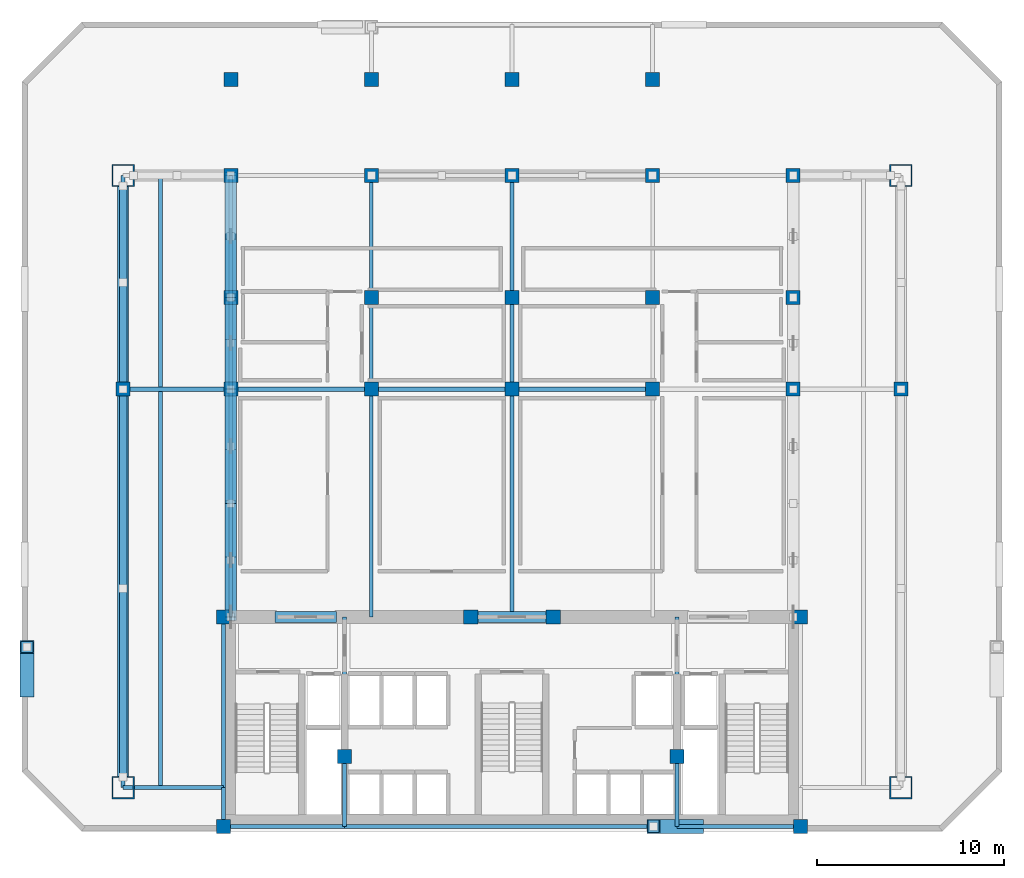
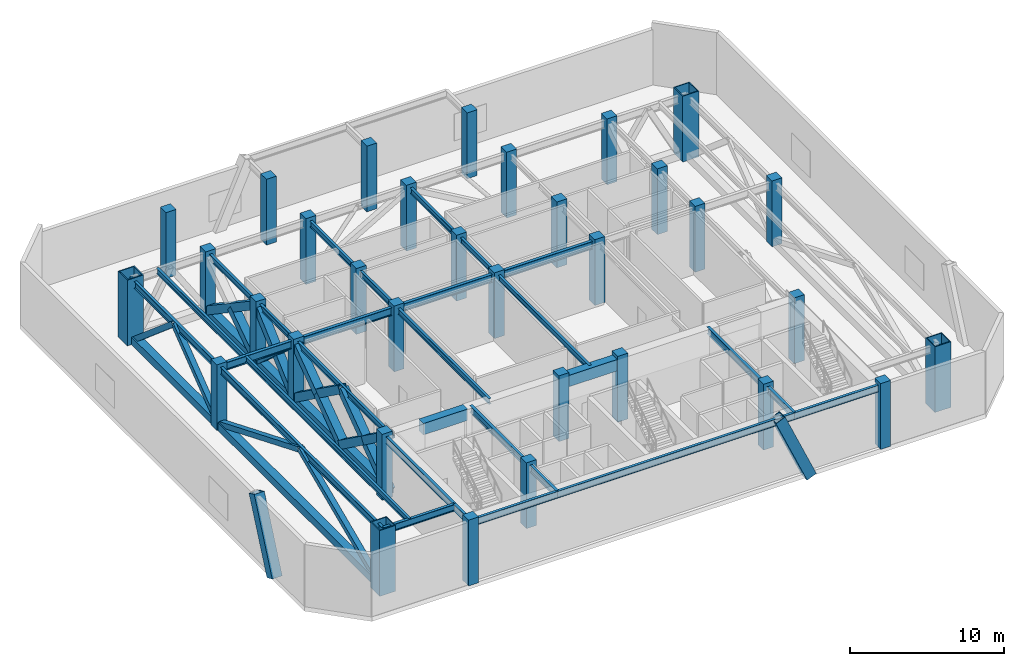
# One storey, part 1 of 10: 33 columns, 26 beams, 23 members.
"""IFC4 building model written with IfcOpenShell, lengths in metres."""

import ifcopenshell
import ifcopenshell.guid

model = None  # the IFC model being written
_history = None  # IfcOwnerHistory: only IFC2X3 demands one
_inside = {}  # id of a spatial element -> (the spatial element, [elements in it])
_under = {}  # id of a project, library or spatial element -> (it, [spatial elements below it])
_declared = {}  # id of a project -> (the project, [libraries it declares])
_typed = {}  # id of a type object -> (the type object, [elements of that type])
_made_of = {}  # id of a material, layer set ... -> (it, [elements and type objects made of it])


def new_model(schema):
    """Start an empty IFC model of exactly this schema.

    Asked for "IFC4X3", IfcOpenShell would pick the latest addendum, in which some entities
    have other attributes; the version numbers below select the first issue.
    IFC2X3 requires an IfcOwnerHistory on every rooted entity: one is made here for all.
    """
    global model, _history
    if schema == "IFC4X3":
        model = ifcopenshell.file(schema_version=(4, 3, 0, 0))
    else:
        model = ifcopenshell.file(schema=schema)
    _inside.clear()
    _under.clear()
    _declared.clear()
    _typed.clear()
    _made_of.clear()
    _history = None
    if model.schema == "IFC2X3":
        org = make("IfcOrganization", Name="unknown")
        user = make(
            "IfcPersonAndOrganization",
            ThePerson=make("IfcPerson", FamilyName="unknown"),
            TheOrganization=org,
        )
        app = make(
            "IfcApplication",
            ApplicationDeveloper=org,
            Version="unknown",
            ApplicationFullName="unknown",
            ApplicationIdentifier="unknown",
        )
        _history = make(
            "IfcOwnerHistory",
            OwningUser=user,
            OwningApplication=app,
            ChangeAction="ADDED",
            CreationDate=0,
        )
    return model


def make(cls, **values):
    """One entity of the class cls with the attributes given. An attribute that is None is left unset."""
    return model.create_entity(
        cls, **{name: value for name, value in values.items() if value is not None}
    )


def rooted(cls, **values):
    """An entity with a GlobalId (a new one), such as an element, a storey or a relation."""
    return make(cls, GlobalId=ifcopenshell.guid.new(), OwnerHistory=_history, **values)


def si_unit(unit_type, name, prefix=None):
    """IfcSIUnit, for example si_unit("LENGTHUNIT", "METRE", prefix="MILLI")."""
    return make("IfcSIUnit", UnitType=unit_type, Prefix=prefix, Name=name)


def assignment(units):
    """IfcUnitAssignment: the units of a project."""
    return None if units is None else make("IfcUnitAssignment", Units=units)


def point(xyz):
    """IfcCartesianPoint."""
    return None if xyz is None else make("IfcCartesianPoint", Coordinates=xyz)


def direction(xyz):
    """IfcDirection."""
    return None if xyz is None else make("IfcDirection", DirectionRatios=xyz)


def frame(location, z_axis=None, x_axis=None):
    """IfcAxis2Placement3D, a coordinate frame: its origin and axes. An axis left out is left unset."""
    return make(
        "IfcAxis2Placement3D",
        Location=point(location),
        Axis=direction(z_axis),
        RefDirection=direction(x_axis),
    )


def frame_2d(location, x_axis=None):
    """IfcAxis2Placement2D, a coordinate frame in the plane: its origin and x axis."""
    return make(
        "IfcAxis2Placement2D", Location=point(location), RefDirection=direction(x_axis)
    )


def origin():
    """The frame at (0, 0, 0) with its axes left unset."""
    return frame((0.0, 0.0, 0.0))


def origin_2d():
    """The frame at (0, 0) in the plane with its x axis left unset."""
    return frame_2d((0.0, 0.0))


def place(relative_to, where):
    """IfcLocalPlacement: puts the frame where relative to a parent placement (None: the world)."""
    return make(
        "IfcLocalPlacement", PlacementRelTo=relative_to, RelativePlacement=where
    )


def context(
    kind, dimensions, precision=None, world=None, true_north=None, identifier=None
):
    """IfcGeometricRepresentationContext, for example the 3D "Model" context."""
    return make(
        "IfcGeometricRepresentationContext",
        ContextIdentifier=identifier,
        ContextType=kind,
        CoordinateSpaceDimension=dimensions,
        Precision=precision,
        WorldCoordinateSystem=world,
        TrueNorth=true_north,
    )


def subcontext(parent, identifier, kind, view, scale=None):
    """IfcGeometricRepresentationSubContext, for example "Body" below "Model"."""
    return make(
        "IfcGeometricRepresentationSubContext",
        ContextIdentifier=identifier,
        ContextType=kind,
        ParentContext=parent,
        TargetScale=scale,
        TargetView=view,
    )


def project(units=None, contexts=None):
    """IfcProject with its units and contexts."""
    return rooted(
        "IfcProject",
        Name="project",
        RepresentationContexts=contexts,
        UnitsInContext=assignment(units),
    )


def spatial(cls, under=None, at=None, **own):
    """A site, building, storey or space (cls), placed at a placement, below another one or the project."""
    s = rooted(cls, ObjectPlacement=at, **own)
    if under is not None:
        _under.setdefault(under.id(), (under, []))[1].append(s)
    return s


def profile(cls, at=None, kind="AREA", **sizes):
    """A parametric profile (cls). Its sizes go by their IFC names, for example OverallWidth=200.0."""
    return make(cls, ProfileType=kind, Position=at, **sizes)


def rectangle(**sizes):
    """IfcRectangleProfileDef."""
    return profile("IfcRectangleProfileDef", **sizes)


def hollow_rectangle(**sizes):
    """IfcRectangleHollowProfileDef."""
    return profile("IfcRectangleHollowProfileDef", **sizes)


def i_section(**sizes):
    """IfcIShapeProfileDef."""
    return profile("IfcIShapeProfileDef", **sizes)


def extrude(swept, where, along, depth):
    """IfcExtrudedAreaSolid: the profile swept, set in the frame where, extruded along a direction by depth."""
    return make(
        "IfcExtrudedAreaSolid",
        SweptArea=swept,
        Position=where,
        ExtrudedDirection=direction(along),
        Depth=depth,
    )


def shape(context_of_items, identifier, shape_type, items):
    """IfcShapeRepresentation: the items that make up one representation, for example the "Body"."""
    return make(
        "IfcShapeRepresentation",
        ContextOfItems=context_of_items,
        RepresentationIdentifier=identifier,
        RepresentationType=shape_type,
        Items=items,
    )


def material(Name=None, Category=None):
    """IfcMaterial."""
    return make("IfcMaterial", Name=Name, Category=Category)


def material_profile(
    of_material, cross_section, Name=None, Category=None, Priority=None
):
    """IfcMaterialProfile: a cross section and its material."""
    return make(
        "IfcMaterialProfile",
        Name=Name,
        Material=of_material,
        Profile=cross_section,
        Priority=Priority,
        Category=Category,
    )


def profile_set(profiles, Name=None, composite=None):
    """IfcMaterialProfileSet."""
    return make(
        "IfcMaterialProfileSet",
        Name=Name,
        MaterialProfiles=profiles,
        CompositeProfile=composite,
    )


def made_of(thing, what):
    """Note that an element or type object is made of a material, layer set ...; save() writes the relation."""
    if what is not None:
        _made_of.setdefault(what.id(), (what, []))[1].append(thing)
    return thing


def type_object(cls, material=None, **own):
    """A type object (cls), such as IfcWallType, which elements share."""
    return made_of(rooted(cls, **own), material)


def element(
    cls,
    number,
    at=None,
    inside=None,
    cuts=None,
    type_object=None,
    material=None,
    context=None,
    identifier="Body",
    shape_type=None,
    held_by="IfcProductDefinitionShape",
    body=None,
    shapes=None,
    **own,
):
    """One element of the class cls, such as IfcWall. Its Tag is "e" and its number.

    at: its placement. inside: the storey or other place that contains it. cuts: it is an
    opening in that element (IfcRelVoidsElement). A single representation is given by context,
    identifier, shape_type and body (its items); several are given by shapes. held_by: the class
    of the entity that holds the representations. save() writes the other relations.
    """
    e = rooted(cls, Tag="e%d" % number, ObjectPlacement=at, **own)
    if body is not None:
        shapes = [shape(context, identifier, shape_type, body)]
    if shapes is not None:
        e.Representation = make(held_by, Representations=shapes)
    if inside is not None:
        _inside.setdefault(inside.id(), (inside, []))[1].append(e)
    if cuts is not None:
        rooted(
            "IfcRelVoidsElement", RelatingBuildingElement=cuts, RelatedOpeningElement=e
        )
    if type_object is not None:
        _typed.setdefault(type_object.id(), (type_object, []))[1].append(e)
    return made_of(e, material)


def aggregate(whole, parts):
    """IfcRelAggregates: a whole, such as a stair, and the parts it consists of."""
    return rooted("IfcRelAggregates", RelatingObject=whole, RelatedObjects=parts)


def save(model, path):
    """Write the relations noted so far, then the file.

    IfcRelAggregates (storeys below a building ...), IfcRelContainedInSpatialStructure (elements
    in a storey), IfcRelDefinesByType, IfcRelAssociatesMaterial and IfcRelDeclares: one each for
    every whole, place, type object, material and project.
    """
    for whole, parts in _under.values():
        aggregate(whole, parts)
    for where, things in _inside.values():
        rooted(
            "IfcRelContainedInSpatialStructure",
            RelatedElements=things,
            RelatingStructure=where,
        )
    for kind, things in _typed.values():
        rooted("IfcRelDefinesByType", RelatedObjects=things, RelatingType=kind)
    for what, things in _made_of.values():
        rooted("IfcRelAssociatesMaterial", RelatedObjects=things, RelatingMaterial=what)
    for by, libraries in _declared.values():
        rooted("IfcRelDeclares", RelatingContext=by, RelatedDefinitions=libraries)
    model.write(path)


model = new_model("IFC4")

# Units and contexts
model_context = context("Model", 3, precision=1e-05, world=origin(), true_north=direction((0.0, 1.0)))
body_context = subcontext(model_context, "Body", "Model", "MODEL_VIEW")
ifc_project = project(units=[si_unit("LENGTHUNIT", "METRE"), si_unit("AREAUNIT", "SQUARE_METRE"), si_unit("VOLUMEUNIT", "CUBIC_METRE"), si_unit("PLANEANGLEUNIT", "RADIAN"), si_unit("MASSUNIT", "GRAM", prefix="KILO")], contexts=[model_context])

# Site, building, storey
site_placement = place(None, origin())
site = spatial("IfcSite", under=ifc_project, at=site_placement, CompositionType="ELEMENT")
building_placement = place(site_placement, origin())
building = spatial("IfcBuilding", under=site, at=building_placement, Name="Ventersveld Concourse Tower", CompositionType="ELEMENT")
storey_placement = place(building_placement, frame((0.0, 0.0, 134.949951171875)))
storey = spatial("IfcBuildingStorey", under=building, at=storey_placement, Name="L33", CompositionType="ELEMENT", Elevation=134.949951171875)

# Columns
ifc_material_1 = material(Name="Concrete C50/60", Category="concrete")
ifc_material_profile_1 = material_profile(ifc_material_1, rectangle(XDim=0.75, YDim=0.75, at=origin_2d()), Name="RC 750x750")
ifc_profile_set_1 = profile_set([ifc_material_profile_1], Name="Concrete C50/60")
column_type_1 = type_object("IfcColumnType", Name="COL-RC750", PredefinedType="COLUMN", material=ifc_profile_set_1)
for number, where, z_axis, x_axis, name in (
    (1, (13.35009765625, 0.280029296875, 0.0), (0.0, 0.0, 1.0), (1.0, 0.0, 0.0), "L33 Core Spine Column CC-SW"),
    (2, (44.14990234375, 0.280029296875, 0.0), (0.0, 0.0, 1.0), (1.0, 0.0, 0.0), "L33 Core Spine Column CC-SE"),
    (3, (13.35009765625, 11.449951171875, 0.0), (0.0, 0.0, 1.0), (1.0, 0.0, 0.0), "L33 Core Spine Column CC-NW"),
    (4, (44.14990234375, 11.449951171875, 0.0), (0.0, 0.0, 1.0), (1.0, 0.0, 0.0), "L33 Core Spine Column CC-NE"),
    (5, (19.820068359375, 4.0, 0.0), (0.0, 0.0, 1.0), (1.0, 0.0, 0.0), "L33 Core Spine Column CM-1"),
    (6, (37.550048828125, 4.0, 0.0), (0.0, 0.0, 1.0), (1.0, 0.0, 0.0), "L33 Core Spine Column CM-2"),
    (7, (26.550048828125, 11.449951171875, 0.0), (0.0, 0.0, 1.0), (1.0, 0.0, 0.0), "L33 Core Spine Column CM-3"),
    (8, (30.949951171875, 11.449951171875, 0.0), (0.0, 0.0, 1.0), (1.0, 0.0, 0.0), "L33 Core Spine Column CM-4"),
    (9, (8.0, 23.60009765625, 0.0), (0.0, 0.0, 1.0), (1.0, 0.0, 0.0), "L33 Interior Gravity Column X=8.00 Y=23.60"),
    (10, (13.75, 23.60009765625, 0.0), (0.0, 0.0, 1.0), (1.0, 0.0, 0.0), "L33 Interior Gravity Column X=13.75 Y=23.60"),
    (11, (21.25, 23.60009765625, 0.0), (0.0, 0.0, 1.0), (1.0, 0.0, 0.0), "L33 Interior Gravity Column X=21.25 Y=23.60"),
    (12, (28.75, 23.60009765625, 0.0), (0.0, 0.0, 1.0), (1.0, 0.0, 0.0), "L33 Interior Gravity Column X=28.75 Y=23.60"),
    (13, (36.25, 23.60009765625, 0.0), (0.0, 0.0, 1.0), (1.0, 0.0, 0.0), "L33 Interior Gravity Column X=36.25 Y=23.60"),
    (14, (43.75, 23.60009765625, 0.0), (0.0, 0.0, 1.0), (1.0, 0.0, 0.0), "L33 Interior Gravity Column X=43.75 Y=23.60"),
    (15, (49.5, 23.60009765625, 0.0), (0.0, 0.0, 1.0), (1.0, 0.0, 0.0), "L33 Interior Gravity Column X=49.50 Y=23.60"),
    (16, (13.75, 28.5, 0.0), (0.0, 0.0, 1.0), (1.0, 0.0, 0.0), "L33 Upper-North Gravity Column X=13.75 Y=28.50"),
    (17, (21.25, 28.5, 0.0), (0.0, 0.0, 1.0), (1.0, 0.0, 0.0), "L33 Upper-North Gravity Column X=21.25 Y=28.50"),
    (18, (28.75, 28.5, 0.0), (0.0, 0.0, 1.0), (1.0, 0.0, 0.0), "L33 Upper-North Gravity Column X=28.75 Y=28.50"),
    (19, (36.25, 28.5, 0.0), (0.0, 0.0, 1.0), (1.0, 0.0, 0.0), "L33 Upper-North Gravity Column X=36.25 Y=28.50"),
    (20, (43.75, 28.5, 0.0), (0.0, 0.0, 1.0), (1.0, 0.0, 0.0), "L33 Upper-North Gravity Column X=43.75 Y=28.50"),
    (21, (13.75, 40.1201171875, 0.0), (0.0, 0.0, 1.0), (1.0, 0.0, 0.0), "L33 North Brace Node Column X=13.75 Y=40.12"),
    (22, (21.25, 40.1201171875, 0.0), (0.0, 0.0, 1.0), (1.0, 0.0, 0.0), "L33 North Brace Node Column X=21.25 Y=40.12"),
    (23, (28.75, 40.1201171875, 0.0), (0.0, 0.0, 1.0), (1.0, 0.0, 0.0), "L33 North Brace Node Column X=28.75 Y=40.12"),
    (24, (36.25, 40.1201171875, 0.0), (0.0, 0.0, 1.0), (1.0, 0.0, 0.0), "L33 North Brace Node Column X=36.25 Y=40.12"),
    (25, (13.75, 35.0, 0.0), (0.0, 0.0, 1.0), (1.0, 0.0, 0.0), "L33 Mid-North Column X=13.75 Y=35.00"),
    (26, (21.25, 35.0, 0.0), (0.0, 0.0, 1.0), (1.0, 0.0, 0.0), "L33 Mid-North Column X=21.25 Y=35.00"),
    (27, (28.75, 35.0, 0.0), (0.0, 0.0, 1.0), (1.0, 0.0, 0.0), "L33 Mid-North Column X=28.75 Y=35.00"),
    (28, (36.25, 35.0, 0.0), (0.0, 0.0, 1.0), (1.0, 0.0, 0.0), "L33 Mid-North Column X=36.25 Y=35.00"),
    (29, (43.75, 35.0, 0.0), (0.0, 0.0, 1.0), (1.0, 0.0, 0.0), "L33 Mid-North Column X=43.75 Y=35.00"),
):
    element("IfcColumn", number, at=place(storey_placement, frame(where, z_axis=z_axis, x_axis=x_axis)), inside=storey, type_object=column_type_1, Name=name, PredefinedType="COLUMN", context=body_context, shape_type="SweptSolid", body=[
        extrude(rectangle(XDim=0.75, YDim=0.75, at=origin_2d()), origin(), (0.0, 0.0, 1.0), 5.199951171875),
    ])
ifc_material_2 = material(Name="Structural steel S460ML", Category="steel")
ifc_material_profile_2 = material_profile(ifc_material_2, hollow_rectangle(XDim=1.199951171875, YDim=1.199951171875, WallThickness=0.070068359375, at=origin_2d()), Name="BOX 1200x1200x70")
ifc_profile_set_2 = profile_set([ifc_material_profile_2], Name="Structural steel S460ML")
column_type_2 = type_object("IfcColumnType", Name="MC-1200", PredefinedType="USERDEFINED", material=ifc_profile_set_2)
for number, where, z_axis, x_axis, name in (
    (30, (8.0, 2.35009765625, 0.0), (0.0, 0.0, 1.0), (1.0, 0.0, 0.0), "L33 Corner Mega-Column MC-SW"),
    (31, (49.5, 2.35009765625, 0.0), (0.0, 0.0, 1.0), (1.0, 0.0, 0.0), "L33 Corner Mega-Column MC-SE"),
    (32, (49.5, 35.0, 0.0), (0.0, 0.0, 1.0), (1.0, 0.0, 0.0), "L33 Corner Mega-Column MC-NE"),
    (33, (8.0, 35.0, 0.0), (0.0, 0.0, 1.0), (1.0, 0.0, 0.0), "L33 Corner Mega-Column MC-NW"),
):
    element("IfcColumn", number, at=place(storey_placement, frame(where, z_axis=z_axis, x_axis=x_axis)), inside=storey, type_object=column_type_2, Name=name, ObjectType="MEGA_COLUMN", PredefinedType="USERDEFINED", context=body_context, shape_type="SweptSolid", body=[
        extrude(hollow_rectangle(XDim=1.199951171875, YDim=1.199951171875, WallThickness=0.070068359375, at=origin_2d()), origin(), (0.0, 0.0, 1.0), 5.199951171875),
    ])

# Members
ifc_material_3 = material(Name="Structural steel S355ML", Category="steel")
ifc_material_profile_3 = material_profile(ifc_material_3, hollow_rectangle(XDim=0.39990234375, YDim=0.39990234375, WallThickness=0.02001953125, at=origin_2d()), Name="SHS 400x400x20")
ifc_profile_set_3 = profile_set([ifc_material_profile_3], Name="Structural steel S355ML")
member_type_1 = type_object("IfcMemberType", Name="BLT-BR-400", PredefinedType="BRACE", material=ifc_profile_set_3)
member_1_placement = place(storey_placement, frame((8.0, 2.9150390625, 0.300048828125), z_axis=(0.0, 0.917197404981, 0.398433081327), x_axis=(-1.0, 0.0, 0.0)))
element("IfcMember", 34, at=member_1_placement, inside=storey, type_object=member_type_1, Name="L33 Belt Truss Chevron Diagonal W1-1", PredefinedType="BRACE", context=body_context, shape_type="SweptSolid", body=[
    extrude(hollow_rectangle(XDim=0.39990234375, YDim=0.39990234375, WallThickness=0.02001953125, at=origin_2d()), origin(), (0.0, 0.0, 1.0), 10.96826171875),
])
member_2_placement = place(storey_placement, frame((8.0, 23.60009765625, 0.300048828125), z_axis=(0.0, -0.92482766172, 0.380386377408), x_axis=(1.0, 0.0, 0.0)))
element("IfcMember", 35, at=member_2_placement, inside=storey, type_object=member_type_1, Name="L33 Belt Truss Chevron Diagonal W1-2", PredefinedType="BRACE", context=body_context, shape_type="SweptSolid", body=[
    extrude(hollow_rectangle(XDim=0.39990234375, YDim=0.39990234375, WallThickness=0.02001953125, at=origin_2d()), origin(), (0.0, 0.0, 1.0), 11.488525390625),
])
member_3_placement = place(storey_placement, frame((8.0, 23.60009765625, 0.300048828125), z_axis=(0.0, 0.793595966342, 0.608445102048), x_axis=(-1.0, 0.0, 0.0)))
element("IfcMember", 36, at=member_3_placement, inside=storey, type_object=member_type_1, Name="L33 Belt Truss Chevron Diagonal W2-1", PredefinedType="BRACE", context=body_context, shape_type="SweptSolid", body=[
    extrude(hollow_rectangle(XDim=0.39990234375, YDim=0.39990234375, WallThickness=0.02001953125, at=origin_2d()), origin(), (0.0, 0.0, 1.0), 7.182373046875),
])
member_4_placement = place(storey_placement, frame((8.0, 34.43505859375, 0.300048828125), z_axis=(0.0, -0.761546994211, 0.648109694117), x_axis=(1.0, 0.0, 0.0)))
element("IfcMember", 37, at=member_4_placement, inside=storey, type_object=member_type_1, Name="L33 Belt Truss Chevron Diagonal W2-2", PredefinedType="BRACE", context=body_context, shape_type="SweptSolid", body=[
    extrude(hollow_rectangle(XDim=0.39990234375, YDim=0.39990234375, WallThickness=0.02001953125, at=origin_2d()), origin(), (0.0, 0.0, 1.0), 6.742919921875),
])

# Beams
ifc_material_4 = material(Name="Structural steel S355J2", Category="steel")
ifc_material_profile_4 = material_profile(ifc_material_4, i_section(OverallWidth=0.18994140625, OverallDepth=0.453369140625, WebThickness=0.008544921875, FlangeThickness=0.0126953125, FilletRadius=0.01025390625, at=origin_2d()), Name="UB 457x191x67")
ifc_profile_set_4 = profile_set([ifc_material_profile_4], Name="Structural steel S355J2")
beam_type_1 = type_object("IfcBeamType", Name="BM-UB457", PredefinedType="BEAM", material=ifc_profile_set_4)
beam_1_placement = place(storey_placement, frame((10.0, 2.35009765625, 4.693359375), z_axis=(0.0, 1.0, 0.0), x_axis=(-1.0, 0.0, 0.0)))
element("IfcBeam", 38, at=beam_1_placement, inside=storey, type_object=beam_type_1, Name="L33 N-S Composite Floor Beam South X=10.00", PredefinedType="BEAM", context=body_context, shape_type="SweptSolid", body=[
    extrude(i_section(OverallWidth=0.18994140625, OverallDepth=0.453369140625, WebThickness=0.008544921875, FlangeThickness=0.0126953125, FilletRadius=0.01025390625, at=origin_2d()), origin(), (0.0, 0.0, 1.0), 21.15478515625),
])
beam_2_placement = place(storey_placement, frame((10.0, 23.695068359375, 4.693359375), z_axis=(0.0, 1.0, 0.0), x_axis=(-1.0, 0.0, 0.0)))
element("IfcBeam", 39, at=beam_2_placement, inside=storey, type_object=beam_type_1, Name="L33 N-S Composite Floor Beam Mid X=10.00", PredefinedType="BEAM", context=body_context, shape_type="SweptSolid", body=[
    extrude(i_section(OverallWidth=0.18994140625, OverallDepth=0.453369140625, WebThickness=0.008544921875, FlangeThickness=0.0126953125, FilletRadius=0.01025390625, at=origin_2d()), origin(), (0.0, 0.0, 1.0), 11.304931640625),
])
beam_3_placement = place(storey_placement, frame((13.75, 11.449951171875, 4.693359375), z_axis=(0.0, 1.0, 0.0), x_axis=(-1.0, 0.0, 0.0)))
element("IfcBeam", 40, at=beam_3_placement, inside=storey, type_object=beam_type_1, Name="L33 N-S Composite Floor Beam South X=13.75", PredefinedType="BEAM", context=body_context, shape_type="SweptSolid", body=[
    extrude(i_section(OverallWidth=0.18994140625, OverallDepth=0.453369140625, WebThickness=0.008544921875, FlangeThickness=0.0126953125, FilletRadius=0.01025390625, at=origin_2d()), origin(), (0.0, 0.0, 1.0), 12.150146484375),
])
beam_4_placement = place(storey_placement, frame((13.75, 23.60009765625, 4.693359375), z_axis=(0.0, 1.0, 0.0), x_axis=(-1.0, 0.0, 0.0)))
element("IfcBeam", 41, at=beam_4_placement, inside=storey, type_object=beam_type_1, Name="L33 N-S Composite Floor Beam Mid X=13.75", PredefinedType="BEAM", context=body_context, shape_type="SweptSolid", body=[
    extrude(i_section(OverallWidth=0.18994140625, OverallDepth=0.453369140625, WebThickness=0.008544921875, FlangeThickness=0.0126953125, FilletRadius=0.01025390625, at=origin_2d()), origin(), (0.0, 0.0, 1.0), 11.39990234375),
])
beam_5_placement = place(storey_placement, frame((21.25, 11.449951171875, 4.693359375), z_axis=(0.0, 1.0, 0.0), x_axis=(-1.0, 0.0, 0.0)))
element("IfcBeam", 42, at=beam_5_placement, inside=storey, type_object=beam_type_1, Name="L33 N-S Composite Floor Beam South X=21.25", PredefinedType="BEAM", context=body_context, shape_type="SweptSolid", body=[
    extrude(i_section(OverallWidth=0.18994140625, OverallDepth=0.453369140625, WebThickness=0.008544921875, FlangeThickness=0.0126953125, FilletRadius=0.01025390625, at=origin_2d()), origin(), (0.0, 0.0, 1.0), 12.150146484375),
])
beam_6_placement = place(storey_placement, frame((21.25, 23.60009765625, 4.693359375), z_axis=(0.0, 1.0, 0.0), x_axis=(-1.0, 0.0, 0.0)))
element("IfcBeam", 43, at=beam_6_placement, inside=storey, type_object=beam_type_1, Name="L33 N-S Composite Floor Beam Mid X=21.25", PredefinedType="BEAM", context=body_context, shape_type="SweptSolid", body=[
    extrude(i_section(OverallWidth=0.18994140625, OverallDepth=0.453369140625, WebThickness=0.008544921875, FlangeThickness=0.0126953125, FilletRadius=0.01025390625, at=origin_2d()), origin(), (0.0, 0.0, 1.0), 11.39990234375),
])
beam_7_placement = place(storey_placement, frame((28.75, 11.449951171875, 4.693359375), z_axis=(0.0, 1.0, 0.0), x_axis=(-1.0, 0.0, 0.0)))
element("IfcBeam", 44, at=beam_7_placement, inside=storey, type_object=beam_type_1, Name="L33 N-S Composite Floor Beam South X=28.75", PredefinedType="BEAM", context=body_context, shape_type="SweptSolid", body=[
    extrude(i_section(OverallWidth=0.18994140625, OverallDepth=0.453369140625, WebThickness=0.008544921875, FlangeThickness=0.0126953125, FilletRadius=0.01025390625, at=origin_2d()), origin(), (0.0, 0.0, 1.0), 12.150146484375),
])
beam_8_placement = place(storey_placement, frame((28.75, 23.60009765625, 4.693359375), z_axis=(0.0, 1.0, 0.0), x_axis=(-1.0, 0.0, 0.0)))
element("IfcBeam", 45, at=beam_8_placement, inside=storey, type_object=beam_type_1, Name="L33 N-S Composite Floor Beam Mid X=28.75", PredefinedType="BEAM", context=body_context, shape_type="SweptSolid", body=[
    extrude(i_section(OverallWidth=0.18994140625, OverallDepth=0.453369140625, WebThickness=0.008544921875, FlangeThickness=0.0126953125, FilletRadius=0.01025390625, at=origin_2d()), origin(), (0.0, 0.0, 1.0), 11.39990234375),
])
ifc_material_5 = material(Name="Concrete C60/75", Category="concrete")
ifc_material_profile_5 = material_profile(ifc_material_5, rectangle(XDim=0.60009765625, YDim=0.89990234375, at=origin_2d()), Name="RC 600x900")
ifc_profile_set_5 = profile_set([ifc_material_profile_5], Name="Concrete C60/75")
beam_type_2 = type_object("IfcBeamType", Name="CB-RC600x900L", PredefinedType="LINTEL", material=ifc_profile_set_5)
beam_9_placement = place(storey_placement, frame((16.10009765625, 11.449951171875, 4.469970703125), z_axis=(1.0, 0.0, 0.0), x_axis=(0.0, 1.0, 0.0)))
element("IfcBeam", 46, at=beam_9_placement, inside=storey, type_object=beam_type_2, Name="L33 Core Coupling Lintel Beam 1", PredefinedType="LINTEL", context=body_context, shape_type="SweptSolid", body=[
    extrude(rectangle(XDim=0.60009765625, YDim=0.89990234375, at=origin_2d()), origin(), (0.0, 0.0, 1.0), 3.2998046875),
])
beam_10_placement = place(storey_placement, frame((26.5, 11.449951171875, 4.469970703125), z_axis=(1.0, 0.0, 0.0), x_axis=(0.0, 1.0, 0.0)))
element("IfcBeam", 47, at=beam_10_placement, inside=storey, type_object=beam_type_2, Name="L33 Core Coupling Lintel Beam 2", PredefinedType="LINTEL", context=body_context, shape_type="SweptSolid", body=[
    extrude(rectangle(XDim=0.60009765625, YDim=0.89990234375, at=origin_2d()), origin(), (0.0, 0.0, 1.0), 4.5),
])
ifc_material_profile_6 = material_profile(ifc_material_4, i_section(OverallWidth=0.2119140625, OverallDepth=0.54443359375, WebThickness=0.0126953125, FlangeThickness=0.021240234375, FilletRadius=0.0126953125, at=origin_2d()), Name="UB 533x210x122")
ifc_profile_set_6 = profile_set([ifc_material_profile_6], Name="Structural steel S355J2")
beam_type_3 = type_object("IfcBeamType", Name="GRD-UB533H", PredefinedType="T_BEAM", material=ifc_profile_set_6)
beam_11_placement = place(storey_placement, frame((13.35009765625, 0.280029296875, 4.647705078125), z_axis=(0.0, 1.0, 0.0), x_axis=(-1.0, 0.0, 0.0)))
element("IfcBeam", 48, at=beam_11_placement, inside=storey, type_object=beam_type_3, Name="L33 Core West Tie Beam S", PredefinedType="T_BEAM", context=body_context, shape_type="SweptSolid", body=[
    extrude(i_section(OverallWidth=0.2119140625, OverallDepth=0.54443359375, WebThickness=0.0126953125, FlangeThickness=0.021240234375, FilletRadius=0.0126953125, at=origin_2d()), origin(), (0.0, 0.0, 1.0), 2.070068359375),
])
beam_12_placement = place(storey_placement, frame((13.35009765625, 2.35009765625, 4.647705078125), z_axis=(0.0, 1.0, 0.0), x_axis=(-1.0, 0.0, 0.0)))
element("IfcBeam", 49, at=beam_12_placement, inside=storey, type_object=beam_type_3, Name="L33 Core West Tie Beam N", PredefinedType="T_BEAM", context=body_context, shape_type="SweptSolid", body=[
    extrude(i_section(OverallWidth=0.2119140625, OverallDepth=0.54443359375, WebThickness=0.0126953125, FlangeThickness=0.021240234375, FilletRadius=0.0126953125, at=origin_2d()), origin(), (0.0, 0.0, 1.0), 9.099853515625),
])
beam_13_placement = place(storey_placement, frame((13.35009765625, 0.280029296875, 4.647705078125), z_axis=(1.0, 0.0, 0.0), x_axis=(0.0, 1.0, 0.0)))
element("IfcBeam", 50, at=beam_13_placement, inside=storey, type_object=beam_type_3, Name="L33 Core South Tie Beam W", PredefinedType="T_BEAM", context=body_context, shape_type="SweptSolid", body=[
    extrude(i_section(OverallWidth=0.2119140625, OverallDepth=0.54443359375, WebThickness=0.0126953125, FlangeThickness=0.021240234375, FilletRadius=0.0126953125, at=origin_2d()), origin(), (0.0, 0.0, 1.0), 6.469970703125),
])
beam_14_placement = place(storey_placement, frame((19.820068359375, 0.280029296875, 4.647705078125), z_axis=(1.0, 0.0, 0.0), x_axis=(0.0, 1.0, 0.0)))
element("IfcBeam", 51, at=beam_14_placement, inside=storey, type_object=beam_type_3, Name="L33 Core South Tie Beam C", PredefinedType="T_BEAM", context=body_context, shape_type="SweptSolid", body=[
    extrude(i_section(OverallWidth=0.2119140625, OverallDepth=0.54443359375, WebThickness=0.0126953125, FlangeThickness=0.021240234375, FilletRadius=0.0126953125, at=origin_2d()), origin(), (0.0, 0.0, 1.0), 17.72998046875),
])
beam_15_placement = place(storey_placement, frame((37.550048828125, 0.280029296875, 4.647705078125), z_axis=(1.0, 0.0, 0.0), x_axis=(0.0, 1.0, 0.0)))
element("IfcBeam", 52, at=beam_15_placement, inside=storey, type_object=beam_type_3, Name="L33 Core South Tie Beam E", PredefinedType="T_BEAM", context=body_context, shape_type="SweptSolid", body=[
    extrude(i_section(OverallWidth=0.2119140625, OverallDepth=0.54443359375, WebThickness=0.0126953125, FlangeThickness=0.021240234375, FilletRadius=0.0126953125, at=origin_2d()), origin(), (0.0, 0.0, 1.0), 6.599853515625),
])
beam_16_placement = place(storey_placement, frame((19.820068359375, 0.280029296875, 4.647705078125), z_axis=(0.0, 1.0, 0.0), x_axis=(-1.0, 0.0, 0.0)))
element("IfcBeam", 53, at=beam_16_placement, inside=storey, type_object=beam_type_3, Name="L33 Core Spine N-S Tie Beam W1", PredefinedType="T_BEAM", context=body_context, shape_type="SweptSolid", body=[
    extrude(i_section(OverallWidth=0.2119140625, OverallDepth=0.54443359375, WebThickness=0.0126953125, FlangeThickness=0.021240234375, FilletRadius=0.0126953125, at=origin_2d()), origin(), (0.0, 0.0, 1.0), 3.719970703125),
])
beam_17_placement = place(storey_placement, frame((19.820068359375, 4.0, 4.647705078125), z_axis=(0.0, 1.0, 0.0), x_axis=(-1.0, 0.0, 0.0)))
element("IfcBeam", 54, at=beam_17_placement, inside=storey, type_object=beam_type_3, Name="L33 Core Spine N-S Tie Beam W2", PredefinedType="T_BEAM", context=body_context, shape_type="SweptSolid", body=[
    extrude(i_section(OverallWidth=0.2119140625, OverallDepth=0.54443359375, WebThickness=0.0126953125, FlangeThickness=0.021240234375, FilletRadius=0.0126953125, at=origin_2d()), origin(), (0.0, 0.0, 1.0), 7.449951171875),
])
beam_18_placement = place(storey_placement, frame((37.550048828125, 0.280029296875, 4.647705078125), z_axis=(0.0, 1.0, 0.0), x_axis=(-1.0, 0.0, 0.0)))
element("IfcBeam", 55, at=beam_18_placement, inside=storey, type_object=beam_type_3, Name="L33 Core Spine N-S Tie Beam E1", PredefinedType="T_BEAM", context=body_context, shape_type="SweptSolid", body=[
    extrude(i_section(OverallWidth=0.2119140625, OverallDepth=0.54443359375, WebThickness=0.0126953125, FlangeThickness=0.021240234375, FilletRadius=0.0126953125, at=origin_2d()), origin(), (0.0, 0.0, 1.0), 3.719970703125),
])
beam_19_placement = place(storey_placement, frame((37.550048828125, 4.0, 4.647705078125), z_axis=(0.0, 1.0, 0.0), x_axis=(-1.0, 0.0, 0.0)))
element("IfcBeam", 56, at=beam_19_placement, inside=storey, type_object=beam_type_3, Name="L33 Core Spine N-S Tie Beam E2", PredefinedType="T_BEAM", context=body_context, shape_type="SweptSolid", body=[
    extrude(i_section(OverallWidth=0.2119140625, OverallDepth=0.54443359375, WebThickness=0.0126953125, FlangeThickness=0.021240234375, FilletRadius=0.0126953125, at=origin_2d()), origin(), (0.0, 0.0, 1.0), 7.449951171875),
])
ifc_material_profile_7 = material_profile(ifc_material_4, i_section(OverallWidth=0.230224609375, OverallDepth=0.6171875, WebThickness=0.01318359375, FlangeThickness=0.022216796875, FilletRadius=0.0126953125, at=origin_2d()), Name="UB 610x229x140")
ifc_profile_set_7 = profile_set([ifc_material_profile_7], Name="Structural steel S355J2")
beam_type_4 = type_object("IfcBeamType", Name="GRD-UB610", PredefinedType="USERDEFINED", material=ifc_profile_set_7)
beam_20_placement = place(storey_placement, frame((8.0, 23.60009765625, 4.611328125), z_axis=(1.0, 0.0, 0.0), x_axis=(0.0, 1.0, 0.0)))
element("IfcBeam", 57, at=beam_20_placement, inside=storey, type_object=beam_type_4, Name="L33 Primary E-W Grid Girder Y=23.60 #1", ObjectType="GIRDER", PredefinedType="USERDEFINED", context=body_context, shape_type="SweptSolid", body=[
    extrude(i_section(OverallWidth=0.230224609375, OverallDepth=0.6171875, WebThickness=0.01318359375, FlangeThickness=0.022216796875, FilletRadius=0.0126953125, at=origin_2d()), origin(), (0.0, 0.0, 1.0), 5.75),
])
for number, where, z_axis, x_axis, name in (
    (58, (13.75, 23.60009765625, 4.611328125), (1.0, 0.0, 0.0), (0.0, 1.0, 0.0), "L33 Primary E-W Grid Girder Y=23.60 #2"),
    (59, (21.25, 23.60009765625, 4.611328125), (1.0, 0.0, 0.0), (0.0, 1.0, 0.0), "L33 Primary E-W Grid Girder Y=23.60 #3"),
    (60, (28.75, 23.60009765625, 4.611328125), (1.0, 0.0, 0.0), (0.0, 1.0, 0.0), "L33 Primary E-W Grid Girder Y=23.60 #4"),
):
    element("IfcBeam", number, at=place(storey_placement, frame(where, z_axis=z_axis, x_axis=x_axis)), inside=storey, type_object=beam_type_4, Name=name, ObjectType="GIRDER", PredefinedType="USERDEFINED", context=body_context, shape_type="SweptSolid", body=[
        extrude(i_section(OverallWidth=0.230224609375, OverallDepth=0.6171875, WebThickness=0.01318359375, FlangeThickness=0.022216796875, FilletRadius=0.0126953125, at=origin_2d()), origin(), (0.0, 0.0, 1.0), 7.5),
    ])

# Members
ifc_material_profile_8 = material_profile(ifc_material_3, hollow_rectangle(XDim=0.75, YDim=0.75, WallThickness=0.044921875, at=origin_2d()), Name="BOX 750x750x45")
ifc_profile_set_8 = profile_set([ifc_material_profile_8], Name="Structural steel S355ML")
member_type_2 = type_object("IfcMemberType", Name="MB-750x750", PredefinedType="BRACE", material=ifc_profile_set_8)
for number, where, z_axis, x_axis, name in (
    (61, (38.62841796875, 0.280029296875, -0.349853515625), (-0.40412839508, 0.0, 0.914702268659), (0.0, -1.0, 0.0), "L33 Exterior Mega-Brace S (Module M07)"),
    (62, (2.8798828125, 7.521484375, -0.349853515625), (0.0, 0.404163848321, 0.914686604095), (-1.0, 0.0, 0.0), "L33 Exterior Mega-Brace W (Module M07)"),
):
    element("IfcMember", number, at=place(storey_placement, frame(where, z_axis=z_axis, x_axis=x_axis)), inside=storey, type_object=member_type_2, Name=name, PredefinedType="BRACE", context=body_context, shape_type="SweptSolid", body=[
        extrude(hollow_rectangle(XDim=0.75, YDim=0.75, WallThickness=0.044921875, at=origin_2d()), origin(), (0.0, 0.0, 1.0), 5.761474609375),
    ])
ifc_material_profile_9 = material_profile(ifc_material_3, hollow_rectangle(XDim=0.60009765625, YDim=0.60009765625, WallThickness=0.0400390625, at=origin_2d()), Name="BOX 600x600x40")
ifc_profile_set_9 = profile_set([ifc_material_profile_9], Name="Structural steel S355ML")
member_type_3 = type_object("IfcMemberType", Name="OUT-BR-600", PredefinedType="BRACE", material=ifc_profile_set_9)
member_5_placement = place(storey_placement, frame((13.75, 11.449951171875, 0.300048828125), z_axis=(0.0, 0.810638684679, 0.58554668721), x_axis=(-1.0, 0.0, 0.0)))
element("IfcMember", 63, at=member_5_placement, inside=storey, type_object=member_type_3, Name="L33 Outrigger Truss Continuous Diagonal W-1A", PredefinedType="BRACE", context=body_context, shape_type="SweptSolid", body=[
    extrude(hollow_rectangle(XDim=0.60009765625, YDim=0.60009765625, WallThickness=0.0400390625, at=origin_2d()), origin(), (0.0, 0.0, 1.0), 7.46337890625),
])
member_6_placement = place(storey_placement, frame((13.75, 11.449951171875, 4.670166015625), z_axis=(0.0, 0.810649900066, -0.585531160164), x_axis=(-1.0, 0.0, 0.0)))
element("IfcMember", 64, at=member_6_placement, inside=storey, type_object=member_type_3, Name="L33 Outrigger Truss Split X-Diagonal W-1B1", PredefinedType="BRACE", context=body_context, shape_type="SweptSolid", body=[
    extrude(hollow_rectangle(XDim=0.60009765625, YDim=0.60009765625, WallThickness=0.0400390625, at=origin_2d()), origin(), (0.0, 0.0, 1.0), 3.731689453125),
])
member_7_placement = place(storey_placement, frame((13.75, 14.47509765625, 2.485107421875), z_axis=(0.0, 0.810627468399, -0.585562214864), x_axis=(-1.0, 0.0, 0.0)))
element("IfcMember", 65, at=member_7_placement, inside=storey, type_object=member_type_3, Name="L33 Outrigger Truss Split X-Diagonal W-1B2", PredefinedType="BRACE", context=body_context, shape_type="SweptSolid", body=[
    extrude(hollow_rectangle(XDim=0.60009765625, YDim=0.60009765625, WallThickness=0.0400390625, at=origin_2d()), origin(), (0.0, 0.0, 1.0), 3.7314453125),
])
member_8_placement = place(storey_placement, frame((13.75, 17.5, 4.670166015625), z_axis=(0.0, 0.812919299661, -0.582376349313), x_axis=(-1.0, 0.0, 0.0)))
element("IfcMember", 66, at=member_8_placement, inside=storey, type_object=member_type_3, Name="L33 Outrigger Truss Continuous Diagonal W-2A", PredefinedType="BRACE", context=body_context, shape_type="SweptSolid", body=[
    extrude(hollow_rectangle(XDim=0.60009765625, YDim=0.60009765625, WallThickness=0.0400390625, at=origin_2d()), origin(), (0.0, 0.0, 1.0), 7.50390625),
])
for number, where, z_axis, x_axis, name in (
    (67, (13.75, 17.5, 0.300048828125), (0.0, 0.812919299661, 0.582376349313), (-1.0, 0.0, 0.0), "L33 Outrigger Truss Split X-Diagonal W-2B1"),
    (68, (13.75, 20.550048828125, 2.485107421875), (0.0, 0.812919299661, 0.582376349313), (-1.0, 0.0, 0.0), "L33 Outrigger Truss Split X-Diagonal W-2B2"),
):
    element("IfcMember", number, at=place(storey_placement, frame(where, z_axis=z_axis, x_axis=x_axis)), inside=storey, type_object=member_type_3, Name=name, PredefinedType="BRACE", context=body_context, shape_type="SweptSolid", body=[
        extrude(hollow_rectangle(XDim=0.60009765625, YDim=0.60009765625, WallThickness=0.0400390625, at=origin_2d()), origin(), (0.0, 0.0, 1.0), 3.751953125),
    ])
member_9_placement = place(storey_placement, frame((13.75, 23.60009765625, 0.300048828125), z_axis=(0.0, 0.746300426721, 0.665609249542), x_axis=(-1.0, 0.0, 0.0)))
element("IfcMember", 69, at=member_9_placement, inside=storey, type_object=member_type_3, Name="L33 Outrigger Truss Continuous Diagonal W-3A", PredefinedType="BRACE", context=body_context, shape_type="SweptSolid", body=[
    extrude(hollow_rectangle(XDim=0.60009765625, YDim=0.60009765625, WallThickness=0.0400390625, at=origin_2d()), origin(), (0.0, 0.0, 1.0), 6.565673828125),
])
for number, where, z_axis, x_axis, name in (
    (70, (13.75, 23.60009765625, 4.670166015625), (0.0, 0.746300426721, -0.665609249542), (-1.0, 0.0, 0.0), "L33 Outrigger Truss Split X-Diagonal W-3B1"),
    (71, (13.75, 26.050048828125, 2.485107421875), (0.0, 0.746300426721, -0.665609249542), (-1.0, 0.0, 0.0), "L33 Outrigger Truss Split X-Diagonal W-3B2"),
):
    element("IfcMember", number, at=place(storey_placement, frame(where, z_axis=z_axis, x_axis=x_axis)), inside=storey, type_object=member_type_3, Name=name, PredefinedType="BRACE", context=body_context, shape_type="SweptSolid", body=[
        extrude(hollow_rectangle(XDim=0.60009765625, YDim=0.60009765625, WallThickness=0.0400390625, at=origin_2d()), origin(), (0.0, 0.0, 1.0), 3.28271484375),
    ])
member_10_placement = place(storey_placement, frame((13.75, 28.5, 4.670166015625), z_axis=(0.0, 0.829876411596, -0.557947256895), x_axis=(-1.0, 0.0, 0.0)))
element("IfcMember", 72, at=member_10_placement, inside=storey, type_object=member_type_3, Name="L33 Outrigger Truss Continuous Diagonal W-4A", PredefinedType="BRACE", context=body_context, shape_type="SweptSolid", body=[
    extrude(hollow_rectangle(XDim=0.60009765625, YDim=0.60009765625, WallThickness=0.0400390625, at=origin_2d()), origin(), (0.0, 0.0, 1.0), 7.83251953125),
])
member_11_placement = place(storey_placement, frame((13.75, 28.5, 0.300048828125), z_axis=(0.0, 0.829876411596, 0.557947256895), x_axis=(-1.0, 0.0, 0.0)))
element("IfcMember", 73, at=member_11_placement, inside=storey, type_object=member_type_3, Name="L33 Outrigger Truss Split X-Diagonal W-4B1", PredefinedType="BRACE", context=body_context, shape_type="SweptSolid", body=[
    extrude(hollow_rectangle(XDim=0.60009765625, YDim=0.60009765625, WallThickness=0.0400390625, at=origin_2d()), origin(), (0.0, 0.0, 1.0), 3.916259765625),
])
ifc_material_profile_10 = material_profile(ifc_material_3, hollow_rectangle(XDim=0.60009765625, YDim=0.60009765625, WallThickness=0.0400390625, at=origin_2d()), Name="BOX 600x600x40")
ifc_profile_set_10 = profile_set([ifc_material_profile_10], Name="Structural steel S355ML")
member_type_4 = type_object("IfcMemberType", Name="OUT-CH-600", PredefinedType="CHORD", material=ifc_profile_set_10)
member_12_placement = place(storey_placement, frame((13.75, 11.449951171875, 0.300048828125), z_axis=(0.0, 1.0, 0.0), x_axis=(-1.0, 0.0, 0.0)))
element("IfcMember", 74, at=member_12_placement, inside=storey, type_object=member_type_4, Name="L33 Outrigger Truss Bottom Chord W-1", PredefinedType="CHORD", context=body_context, shape_type="SweptSolid", body=[
    extrude(hollow_rectangle(XDim=0.60009765625, YDim=0.60009765625, WallThickness=0.0400390625, at=origin_2d()), origin(), (0.0, 0.0, 1.0), 6.050048828125),
])
member_13_placement = place(storey_placement, frame((13.75, 17.5, 0.300048828125), z_axis=(0.0, 1.0, 0.0), x_axis=(-1.0, 0.0, 0.0)))
element("IfcMember", 75, at=member_13_placement, inside=storey, type_object=member_type_4, Name="L33 Outrigger Truss Bottom Chord W-2", PredefinedType="CHORD", context=body_context, shape_type="SweptSolid", body=[
    extrude(hollow_rectangle(XDim=0.60009765625, YDim=0.60009765625, WallThickness=0.0400390625, at=origin_2d()), origin(), (0.0, 0.0, 1.0), 6.10009765625),
])
member_14_placement = place(storey_placement, frame((13.75, 23.60009765625, 0.300048828125), z_axis=(0.0, 1.0, 0.0), x_axis=(-1.0, 0.0, 0.0)))
element("IfcMember", 76, at=member_14_placement, inside=storey, type_object=member_type_4, Name="L33 Outrigger Truss Bottom Chord W-3", PredefinedType="CHORD", context=body_context, shape_type="SweptSolid", body=[
    extrude(hollow_rectangle(XDim=0.60009765625, YDim=0.60009765625, WallThickness=0.0400390625, at=origin_2d()), origin(), (0.0, 0.0, 1.0), 4.89990234375),
])
member_15_placement = place(storey_placement, frame((13.75, 28.5, 0.300048828125), z_axis=(0.0, 1.0, 0.0), x_axis=(-1.0, 0.0, 0.0)))
element("IfcMember", 77, at=member_15_placement, inside=storey, type_object=member_type_4, Name="L33 Outrigger Truss Bottom Chord W-4", PredefinedType="CHORD", context=body_context, shape_type="SweptSolid", body=[
    extrude(hollow_rectangle(XDim=0.60009765625, YDim=0.60009765625, WallThickness=0.0400390625, at=origin_2d()), origin(), (0.0, 0.0, 1.0), 6.5),
])
member_16_placement = place(storey_placement, frame((8.0, 2.9150390625, 0.300048828125), z_axis=(0.0, 1.0, 0.0), x_axis=(-1.0, 0.0, 0.0)))
element("IfcMember", 78, at=member_16_placement, inside=storey, type_object=member_type_4, Name="L33 Belt Truss Bottom Chord W1", PredefinedType="CHORD", context=body_context, shape_type="SweptSolid", body=[
    extrude(hollow_rectangle(XDim=0.60009765625, YDim=0.60009765625, WallThickness=0.0400390625, at=origin_2d()), origin(), (0.0, 0.0, 1.0), 20.68505859375),
])
member_17_placement = place(storey_placement, frame((8.0, 23.60009765625, 0.300048828125), z_axis=(0.0, 1.0, 0.0), x_axis=(-1.0, 0.0, 0.0)))
element("IfcMember", 79, at=member_17_placement, inside=storey, type_object=member_type_4, Name="L33 Belt Truss Bottom Chord W2", PredefinedType="CHORD", context=body_context, shape_type="SweptSolid", body=[
    extrude(hollow_rectangle(XDim=0.60009765625, YDim=0.60009765625, WallThickness=0.0400390625, at=origin_2d()), origin(), (0.0, 0.0, 1.0), 10.8349609375),
])

# Beams
ifc_material_profile_11 = material_profile(ifc_material_4, i_section(OverallWidth=0.2119140625, OverallDepth=0.54443359375, WebThickness=0.0126953125, FlangeThickness=0.021240234375, FilletRadius=0.0126953125, at=origin_2d()), Name="UB 533x210x122")
ifc_profile_set_11 = profile_set([ifc_material_profile_11], Name="Structural steel S355J2")
beam_type_5 = type_object("IfcBeamType", Name="SPD-UB533", PredefinedType="SPANDREL", material=ifc_profile_set_11)
beam_21_placement = place(storey_placement, frame((8.0, 2.35009765625, 4.647705078125), z_axis=(1.0, 0.0, 0.0), x_axis=(0.0, 1.0, 0.0)))
element("IfcBeam", 80, at=beam_21_placement, inside=storey, type_object=beam_type_5, Name="L33 SW Spandrel Beam", PredefinedType="SPANDREL", context=body_context, shape_type="SweptSolid", body=[
    extrude(i_section(OverallWidth=0.2119140625, OverallDepth=0.54443359375, WebThickness=0.0126953125, FlangeThickness=0.021240234375, FilletRadius=0.0126953125, at=origin_2d()), origin(), (0.0, 0.0, 1.0), 5.35009765625),
])
beam_22_placement = place(storey_placement, frame((8.0, 2.35009765625, 4.647705078125), z_axis=(0.0, 1.0, 0.0), x_axis=(-1.0, 0.0, 0.0)))
element("IfcBeam", 81, at=beam_22_placement, inside=storey, type_object=beam_type_5, Name="L33 West Spandrel Beam S", PredefinedType="SPANDREL", context=body_context, shape_type="SweptSolid", body=[
    extrude(i_section(OverallWidth=0.2119140625, OverallDepth=0.54443359375, WebThickness=0.0126953125, FlangeThickness=0.021240234375, FilletRadius=0.0126953125, at=origin_2d()), origin(), (0.0, 0.0, 1.0), 21.25),
])
beam_23_placement = place(storey_placement, frame((8.0, 23.60009765625, 4.647705078125), z_axis=(0.0, 1.0, 0.0), x_axis=(-1.0, 0.0, 0.0)))
element("IfcBeam", 82, at=beam_23_placement, inside=storey, type_object=beam_type_5, Name="L33 West Spandrel Beam N", PredefinedType="SPANDREL", context=body_context, shape_type="SweptSolid", body=[
    extrude(i_section(OverallWidth=0.2119140625, OverallDepth=0.54443359375, WebThickness=0.0126953125, FlangeThickness=0.021240234375, FilletRadius=0.0126953125, at=origin_2d()), origin(), (0.0, 0.0, 1.0), 11.39990234375),
])

save(model, "model.ifc")
